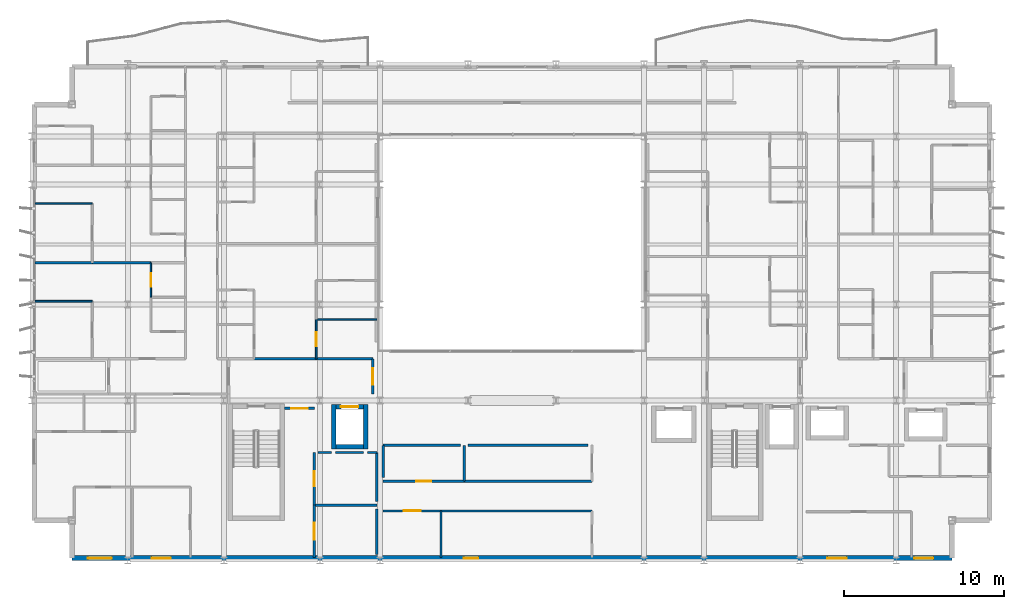
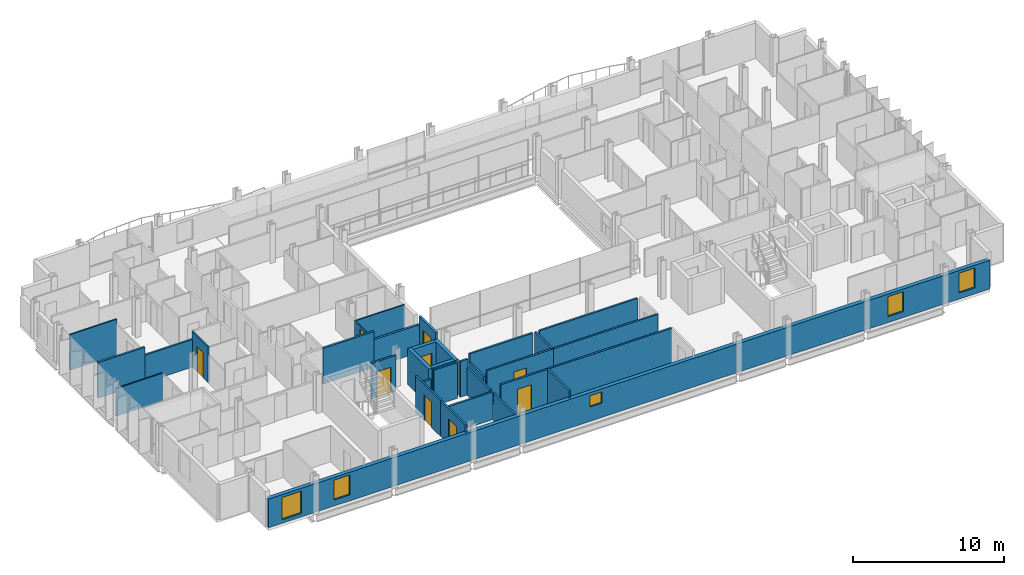
# One storey, part 28 of 39: 33 walls, 9 doors, 5 windows, 14 openings.
"""IFC4 building model written with IfcOpenShell, lengths in metres."""

from ifc_helpers import new_model, si_unit, direction, frame, frame_2d, origin, place, context, subcontext, project, spatial, rectangle, extrude, material, layer, layer_set, type_object, element, fill, save


model = new_model("IFC4")

# Units and contexts
model_context = context("Model", 3, precision=1e-05, world=origin(), true_north=direction((0.0, 1.0)))
body_context = subcontext(model_context, "Body", "Model", "MODEL_VIEW")
ifc_project = project(units=[si_unit("LENGTHUNIT", "METRE"), si_unit("AREAUNIT", "SQUARE_METRE"), si_unit("VOLUMEUNIT", "CUBIC_METRE"), si_unit("PLANEANGLEUNIT", "RADIAN"), si_unit("MASSUNIT", "GRAM", prefix="KILO")], contexts=[model_context])

# Site, building, storey
site_placement = place(None, origin())
site = spatial("IfcSite", under=ifc_project, at=site_placement, CompositionType="ELEMENT")
building_placement = place(site_placement, origin())
building = spatial("IfcBuilding", under=site, at=building_placement, Name="Brevholm Reach", CompositionType="ELEMENT")
storey_placement = place(building_placement, frame((0.0, 0.0, 90.0)))
storey = spatial("IfcBuildingStorey", under=building, at=storey_placement, Name="L26", CompositionType="ELEMENT", Elevation=90.0)

# Walls
ifc_material_1 = material(Name="Concrete C50/60", Category="concrete")
ifc_layer_1 = layer(ifc_material_1, 0.280029296875)
ifc_layer_set_1 = layer_set([ifc_layer_1], Name="Concrete C50/60")
wall_type_1 = type_object("IfcWallType", Name="WAL-COR-280", PredefinedType="SHEAR", material=ifc_layer_set_1)
for number, where, z_axis, x_axis, name in (
    (1, (18.85009765625, 6.9599609375, 0.0), (0.0, 0.0, 1.0), (0.0, 1.0, 0.0), "L26 Lift FFL-1 Shaft Wall W"),
    (2, (20.85009765625, 6.9599609375, 0.0), (0.0, 0.0, 1.0), (0.0, 1.0, 0.0), "L26 Lift FFL-1 Shaft Wall E"),
):
    element("IfcWall", number, at=place(storey_placement, frame(where, z_axis=z_axis, x_axis=x_axis)), inside=storey, type_object=wall_type_1, Name=name, PredefinedType="SHEAR", context=body_context, shape_type="SweptSolid", body=[
        extrude(rectangle(XDim=2.780029296875, YDim=0.280029296875, at=frame_2d((1.39013671875, 0.0))), origin(), (0.0, 0.0, 1.0), 2.8701171875),
    ])
wall_1_placement = place(storey_placement, frame((18.989990234375, 7.10009765625, 0.0), z_axis=(0.0, 0.0, 1.0), x_axis=(1.0, 0.0, 0.0)))
element("IfcWall", 3, at=wall_1_placement, inside=storey, type_object=wall_type_1, Name="L26 Lift FFL-1 Shaft Wall S", PredefinedType="SHEAR", context=body_context, shape_type="SweptSolid", body=[
    extrude(rectangle(XDim=1.719970703125, YDim=0.280029296875, at=frame_2d((0.85986328125, 0.0))), origin(), (0.0, 0.0, 1.0), 2.8701171875),
])

# Wall, opening, door
wall_2_placement = place(storey_placement, frame((18.989990234375, 9.60009765625, 0.0), z_axis=(0.0, 0.0, 1.0), x_axis=(1.0, 0.0, 0.0)))
wall_2 = element("IfcWall", 4, at=wall_2_placement, inside=storey, type_object=wall_type_1, Name="L26 Lift FFL-1 Shaft Wall N", PredefinedType="SHEAR", context=body_context, shape_type="SweptSolid", body=[
    extrude(rectangle(XDim=1.719970703125, YDim=0.280029296875, at=frame_2d((0.85986328125, 0.0))), origin(), (0.0, 0.0, 1.0), 2.8701171875),
])
opening_1_placement = place(wall_2_placement, frame((0.31005859375, 0.0, 0.0)))
opening_1 = element("IfcOpeningElement", 5, at=opening_1_placement, cuts=wall_2, Name="Opening LD-FFL-1", PredefinedType="OPENING", context=body_context, shape_type="SweptSolid", body=[
    extrude(rectangle(XDim=1.10009765625, YDim=2.06005859375, at=frame_2d((0.550048828125, 1.030029296875))), frame((0.0, 0.14990234375, 0.0), z_axis=(0.0, -1.0, 0.0), x_axis=(1.0, 0.0, 0.0)), (0.0, 0.0, 1.0), 0.300048828125),
])
ifc_material_2 = material(Name="Brushed Stainless Steel Fire-Rated Sliding Lift Door", Category="steel")
door_type_1 = type_object("IfcDoorType", Name="DOR-LFT-1100", OperationType="NOTDEFINED", PredefinedType="DOOR", material=ifc_material_2)
door_1_placement = place(opening_1_placement, origin())
door_1 = element("IfcDoor", 6, at=door_1_placement, inside=storey, type_object=door_type_1, Name="L26 Lift FFL-1 Sliding Landing Door", OperationType="SLIDING_TO_RIGHT", OverallHeight=2.06005859375, OverallWidth=1.10009765625, PredefinedType="DOOR", context=body_context, shape_type="SweptSolid", body=[
    extrude(rectangle(XDim=1.10009765625, YDim=2.06005859375, at=frame_2d((0.550048828125, 1.030029296875))), frame((0.0, 0.02490234375, 0.0), z_axis=(0.0, -1.0, 0.0), x_axis=(1.0, 0.0, 0.0)), (0.0, 0.0, 1.0), 0.050048828125),
])
fill(opening_1, door_1)

# Wall, openings, windows
ifc_material_3 = material(Name="Concrete C40/50", Category="concrete")
ifc_layer_2 = layer(ifc_material_3, 0.300048828125)
ifc_layer_set_2 = layer_set([ifc_layer_2], Name="Concrete C40/50")
wall_type_2 = type_object("IfcWallType", Name="WAL-EXT-300", PredefinedType="STANDARD", material=ifc_layer_set_2)
wall_3_placement = place(storey_placement, frame((2.5, 0.14990234375, 0.0), z_axis=(0.0, 0.0, 1.0), x_axis=(1.0, 0.0, 0.0)))
wall_3 = element("IfcWall", 7, at=wall_3_placement, inside=storey, type_object=wall_type_2, Name="L26 Facade Wall WAL-L26-S", PredefinedType="STANDARD", context=body_context, shape_type="SweptSolid", body=[
    extrude(rectangle(XDim=55.0, YDim=0.300048828125, at=frame_2d((27.5, 0.0))), origin(), (0.0, 0.0, 1.0), 2.305419921875),
])
opening_2_placement = place(wall_3_placement, frame((1.0, 0.0, 0.284912109375)))
opening_2 = element("IfcOpeningElement", 8, at=opening_2_placement, cuts=wall_3, Name="Opening WN-05", PredefinedType="OPENING", context=body_context, shape_type="SweptSolid", body=[
    extrude(rectangle(XDim=1.5, YDim=1.800048828125, at=frame_2d((0.75, 0.89990234375))), frame((0.0, 0.159912109375, 0.0), z_axis=(0.0, -1.0, 0.0), x_axis=(1.0, 0.0, 0.0)), (0.0, 0.0, 1.0), 0.320068359375),
])
opening_3_placement = place(wall_3_placement, frame((24.5, 0.0, 1.14990234375)))
opening_3 = element("IfcOpeningElement", 9, at=opening_3_placement, cuts=wall_3, Name="Opening WN-09", PredefinedType="OPENING", context=body_context, shape_type="SweptSolid", body=[
    extrude(rectangle(XDim=0.89990234375, YDim=0.89990234375, at=frame_2d((0.449951171875, 0.449951171875))), frame((0.0, 0.159912109375, 0.0), z_axis=(0.0, -1.0, 0.0), x_axis=(1.0, 0.0, 0.0)), (0.0, 0.0, 1.0), 0.320068359375),
])
opening_4_placement = place(wall_3_placement, frame((47.199951171875, 0.0, 0.485107421875)))
opening_4 = element("IfcOpeningElement", 10, at=opening_4_placement, cuts=wall_3, Name="Opening WN-08", PredefinedType="OPENING", context=body_context, shape_type="SweptSolid", body=[
    extrude(rectangle(XDim=1.199951171875, YDim=1.60009765625, at=frame_2d((0.60009765625, 0.800048828125))), frame((0.0, 0.159912109375, 0.0), z_axis=(0.0, -1.0, 0.0), x_axis=(1.0, 0.0, 0.0)), (0.0, 0.0, 1.0), 0.320068359375),
])
opening_5_placement = place(wall_3_placement, frame((52.6298828125, 0.0, 0.485107421875)))
opening_5 = element("IfcOpeningElement", 11, at=opening_5_placement, cuts=wall_3, Name="Opening WN-08", PredefinedType="OPENING", context=body_context, shape_type="SweptSolid", body=[
    extrude(rectangle(XDim=1.199951171875, YDim=1.60009765625, at=frame_2d((0.60009765625, 0.800048828125))), frame((0.0, 0.159912109375, 0.0), z_axis=(0.0, -1.0, 0.0), x_axis=(1.0, 0.0, 0.0)), (0.0, 0.0, 1.0), 0.320068359375),
])
opening_6_placement = place(wall_3_placement, frame((4.987548828125, 0.0, 0.485595703125)))
opening_6 = element("IfcOpeningElement", 12, at=opening_6_placement, cuts=wall_3, Name="Opening WN-08", PredefinedType="OPENING", context=body_context, shape_type="SweptSolid", body=[
    extrude(rectangle(XDim=1.199951171875, YDim=1.60009765625, at=frame_2d((0.60009765625, 0.800048828125))), frame((0.0, 0.159912109375, 0.0), z_axis=(0.0, -1.0, 0.0), x_axis=(1.0, 0.0, 0.0)), (0.0, 0.0, 1.0), 0.320068359375),
])
ifc_material_4 = material(Name="Dark Anodised Aluminium and Solar-Control IGU Glass", Category="aluminium")
window_type_1 = type_object("IfcWindowType", Name="WIN-POR-0900", PartitioningType="SINGLE_PANEL", PredefinedType="WINDOW", material=ifc_material_4)
window_1_placement = place(opening_3_placement, origin())
window_1 = element("IfcWindow", 13, at=window_1_placement, inside=storey, type_object=window_type_1, Name="L26 Window WIN-L26-S-POR", OverallHeight=0.89990234375, OverallWidth=0.89990234375, PartitioningType="SINGLE_PANEL", PredefinedType="WINDOW", context=body_context, shape_type="SweptSolid", body=[
    extrude(rectangle(XDim=0.89990234375, YDim=0.89990234375, at=frame_2d((0.449951171875, 0.449951171875))), frame((0.0, 0.030029296875, 0.0), z_axis=(0.0, -1.0, 0.0), x_axis=(1.0, 0.0, 0.0)), (0.0, 0.0, 1.0), 0.06005859375),
])
fill(opening_3, window_1)
ifc_material_5 = material(Name="Dark Anodised Aluminium and Solar-Control IGU Glass", Category="aluminium")
window_type_2 = type_object("IfcWindowType", Name="WIN-RES-1200", PartitioningType="SINGLE_PANEL", PredefinedType="WINDOW", material=ifc_material_5)
window_2_placement = place(opening_4_placement, origin())
window_2 = element("IfcWindow", 14, at=window_2_placement, inside=storey, type_object=window_type_2, Name="L26 Window WIN-L26-S-E1", OverallHeight=1.60009765625, OverallWidth=1.199951171875, PartitioningType="SINGLE_PANEL", PredefinedType="WINDOW", context=body_context, shape_type="SweptSolid", body=[
    extrude(rectangle(XDim=1.199951171875, YDim=1.60009765625, at=frame_2d((0.60009765625, 0.800048828125))), frame((0.0, 0.030029296875, 0.0), z_axis=(0.0, -1.0, 0.0), x_axis=(1.0, 0.0, 0.0)), (0.0, 0.0, 1.0), 0.06005859375),
])
fill(opening_4, window_2)
window_3_placement = place(opening_5_placement, origin())
window_3 = element("IfcWindow", 15, at=window_3_placement, inside=storey, type_object=window_type_2, Name="L26 Window WIN-L26-S-E2", OverallHeight=1.60009765625, OverallWidth=1.199951171875, PartitioningType="SINGLE_PANEL", PredefinedType="WINDOW", context=body_context, shape_type="SweptSolid", body=[
    extrude(rectangle(XDim=1.199951171875, YDim=1.60009765625, at=frame_2d((0.60009765625, 0.800048828125))), frame((0.0, 0.030029296875, 0.0), z_axis=(0.0, -1.0, 0.0), x_axis=(1.0, 0.0, 0.0)), (0.0, 0.0, 1.0), 0.06005859375),
])
fill(opening_5, window_3)
window_4_placement = place(opening_6_placement, origin())
window_4 = element("IfcWindow", 16, at=window_4_placement, inside=storey, type_object=window_type_2, Name="L26 Bedroom Window 031", OverallHeight=1.60009765625, OverallWidth=1.199951171875, PartitioningType="SINGLE_PANEL", PredefinedType="WINDOW", context=body_context, shape_type="SweptSolid", body=[
    extrude(rectangle(XDim=1.199951171875, YDim=1.60009765625, at=frame_2d((0.60009765625, 0.800048828125))), frame((0.0, 0.030029296875, 0.0), z_axis=(0.0, -1.0, 0.0), x_axis=(1.0, 0.0, 0.0)), (0.0, 0.0, 1.0), 0.06005859375),
])
fill(opening_6, window_4)
ifc_material_6 = material(Name="Dark Anodised Aluminium and Solar-Control IGU Glass", Category="aluminium")
window_type_3 = type_object("IfcWindowType", Name="WIN-RES-1500", PartitioningType="SINGLE_PANEL", PredefinedType="WINDOW", material=ifc_material_6)
window_5_placement = place(opening_2_placement, origin())
window_5 = element("IfcWindow", 17, at=window_5_placement, inside=storey, type_object=window_type_3, Name="L26 Window WIN-L26-S-W1", OverallHeight=1.800048828125, OverallWidth=1.5, PartitioningType="SINGLE_PANEL", PredefinedType="WINDOW", context=body_context, shape_type="SweptSolid", body=[
    extrude(rectangle(XDim=1.5, YDim=1.800048828125, at=frame_2d((0.75, 0.89990234375))), frame((0.0, 0.030029296875, 0.0), z_axis=(0.0, -1.0, 0.0), x_axis=(1.0, 0.0, 0.0)), (0.0, 0.0, 1.0), 0.06005859375),
])
fill(opening_2, window_5)

# Wall, opening, door
ifc_material_7 = material(Name="Moisture-Resistant Acoustic Gypsum Stud Partition 100 mm", Category="gypsum")
ifc_layer_3 = layer(ifc_material_7, 0.10009765625)
ifc_layer_set_3 = layer_set([ifc_layer_3], Name="Moisture-Resistant Acoustic Gypsum Stud Partition 100 mm")
wall_type_3 = type_object("IfcWallType", Name="WAL-PRT-100", PredefinedType="PARTITIONING", material=ifc_layer_set_3)
wall_4_placement = place(storey_placement, frame((7.43798828125, 16.449951171875, 0.0), z_axis=(0.0, 0.0, 1.0), x_axis=(0.0, 1.0, 0.0)))
wall_4 = element("IfcWall", 18, at=wall_4_placement, inside=storey, type_object=wall_type_3, Name="L26 Internal Partition 091", PredefinedType="PARTITIONING", context=body_context, shape_type="SweptSolid", body=[
    extrude(rectangle(XDim=2.150146484375, YDim=0.10009765625, at=frame_2d((1.0751953125, 0.0))), origin(), (0.0, 0.0, 1.0), 2.8701171875),
])
opening_7_placement = place(wall_4_placement, frame((0.6650390625, 0.0, 0.0)))
opening_7 = element("IfcOpeningElement", 19, at=opening_7_placement, cuts=wall_4, Name="Opening ID-03", PredefinedType="OPENING", context=body_context, shape_type="SweptSolid", body=[
    extrude(rectangle(XDim=0.820068359375, YDim=2.02001953125, at=frame_2d((0.41015625, 1.010009765625))), frame((0.0, 0.06005859375, 0.0), z_axis=(0.0, -1.0, 0.0), x_axis=(1.0, 0.0, 0.0)), (0.0, 0.0, 1.0), 0.1201171875),
])
ifc_material_8 = material(Name="Moisture-Resistant Painted Timber Internal Bathroom Door", Category="wood")
door_type_2 = type_object("IfcDoorType", Name="DOR-BATH-820", OperationType="NOTDEFINED", PredefinedType="DOOR", material=ifc_material_8)
door_2_placement = place(opening_7_placement, origin())
door_2 = element("IfcDoor", 20, at=door_2_placement, inside=storey, type_object=door_type_2, Name="L26 Internal Door 033", OperationType="SINGLE_SWING_LEFT", OverallHeight=2.02001953125, OverallWidth=0.820068359375, PredefinedType="DOOR", context=body_context, shape_type="SweptSolid", body=[
    extrude(rectangle(XDim=0.820068359375, YDim=2.02001953125, at=frame_2d((0.41015625, 1.010009765625))), frame((0.0, 0.02490234375, 0.0), z_axis=(0.0, -1.0, 0.0), x_axis=(1.0, 0.0, 0.0)), (0.0, 0.0, 1.0), 0.050048828125),
])
fill(opening_7, door_2)

# Walls
wall_5_placement = place(storey_placement, frame((0.199951171875, 16.199951171875, 0.0), z_axis=(0.0, 0.0, 1.0), x_axis=(1.0, 0.0, 0.0)))
element("IfcWall", 21, at=wall_5_placement, inside=storey, type_object=wall_type_3, Name="L26 Internal Partition 096", PredefinedType="PARTITIONING", context=body_context, shape_type="SweptSolid", body=[
    extrude(rectangle(XDim=3.572021484375, YDim=0.10009765625, at=frame_2d((1.7861328125, 0.0))), origin(), (0.0, 0.0, 1.0), 2.224853515625),
])
wall_6_placement = place(storey_placement, frame((0.199951171875, 22.300048828125, 0.0), z_axis=(0.0, 0.0, 1.0), x_axis=(1.0, 0.0, 0.0)))
element("IfcWall", 22, at=wall_6_placement, inside=storey, type_object=wall_type_3, Name="L26 Internal Partition 105", PredefinedType="PARTITIONING", context=body_context, shape_type="SweptSolid", body=[
    extrude(rectangle(XDim=3.572021484375, YDim=0.10009765625, at=frame_2d((1.7861328125, 0.0))), origin(), (0.0, 0.0, 1.0), 2.8701171875),
])
wall_7_placement = place(storey_placement, frame((17.76904296875, 15.050048828125, 0.0), z_axis=(0.0, 0.0, 1.0), x_axis=(1.0, 0.0, 0.0)))
element("IfcWall", 23, at=wall_7_placement, inside=storey, type_object=wall_type_3, Name="L26 Internal Partition 118", PredefinedType="PARTITIONING", context=body_context, shape_type="SweptSolid", body=[
    extrude(rectangle(XDim=3.781005859375, YDim=0.10009765625, at=frame_2d((1.890625, 0.0))), origin(), (0.0, 0.0, 1.0), 2.224853515625),
])

# Wall, opening, door
wall_8_placement = place(storey_placement, frame((17.76904296875, 12.60400390625, 0.0), z_axis=(0.0, 0.0, 1.0), x_axis=(0.0, 1.0, 0.0)))
wall_8 = element("IfcWall", 24, at=wall_8_placement, inside=storey, type_object=wall_type_3, Name="L26 Internal Partition 119", PredefinedType="PARTITIONING", context=body_context, shape_type="SweptSolid", body=[
    extrude(rectangle(XDim=2.446044921875, YDim=0.10009765625, at=frame_2d((1.22314453125, 0.0))), origin(), (0.0, 0.0, 1.0), 2.224853515625),
])
opening_8_placement = place(wall_8_placement, frame((0.782958984375, 0.0, 0.0)))
opening_8 = element("IfcOpeningElement", 25, at=opening_8_placement, cuts=wall_8, Name="Opening ID-01", PredefinedType="OPENING", context=body_context, shape_type="SweptSolid", body=[
    extrude(rectangle(XDim=0.8798828125, YDim=2.0400390625, at=frame_2d((0.43994140625, 1.02001953125))), frame((0.0, 0.06005859375, 0.0), z_axis=(0.0, -1.0, 0.0), x_axis=(1.0, 0.0, 0.0)), (0.0, 0.0, 1.0), 0.1201171875),
])
ifc_material_9 = material(Name="Lacquered Ash Solid-Core Acoustic Internal Door", Category="timber")
door_type_3 = type_object("IfcDoorType", Name="DOR-INT-880", OperationType="NOTDEFINED", PredefinedType="DOOR", material=ifc_material_9)
door_3_placement = place(opening_8_placement, origin())
door_3 = element("IfcDoor", 26, at=door_3_placement, inside=storey, type_object=door_type_3, Name="L26 Internal Door 044", OperationType="SINGLE_SWING_RIGHT", OverallHeight=2.0400390625, OverallWidth=0.8798828125, PredefinedType="DOOR", context=body_context, shape_type="SweptSolid", body=[
    extrude(rectangle(XDim=0.8798828125, YDim=2.0400390625, at=frame_2d((0.43994140625, 1.02001953125))), frame((0.0, 0.02490234375, 0.0), z_axis=(0.0, -1.0, 0.0), x_axis=(1.0, 0.0, 0.0)), (0.0, 0.0, 1.0), 0.050048828125),
])
fill(opening_8, door_3)

ifc_material_10 = material(Name="Twin-Stud Acoustic Fire-Rated Gypsum Partition 140 mm", Category="gypsum")
ifc_layer_4 = layer(ifc_material_10, 0.139892578125)
ifc_layer_set_4 = layer_set([ifc_layer_4], Name="Twin-Stud Acoustic Fire-Rated Gypsum Partition 140 mm")
wall_type_4 = type_object("IfcWallType", Name="WAL-PRT-140", PredefinedType="PARTITIONING", material=ifc_layer_set_4)
wall_9_placement = place(storey_placement, frame((21.949951171875, 3.10009765625, 0.0), z_axis=(0.0, 0.0, 1.0), x_axis=(1.0, 0.0, 0.0)))
wall_9 = element("IfcWall", 27, at=wall_9_placement, inside=storey, type_object=wall_type_4, Name="L26 Internal Partition 003", PredefinedType="PARTITIONING", context=body_context, shape_type="SweptSolid", body=[
    extrude(rectangle(XDim=3.621337890625, YDim=0.139892578125, at=frame_2d((1.810546875, 0.0))), origin(), (0.0, 0.0, 1.0), 2.8701171875),
])
opening_9_placement = place(wall_9_placement, frame((1.28564453125, 0.0, 0.0)))
opening_9 = element("IfcOpeningElement", 28, at=opening_9_placement, cuts=wall_9, Name="Opening FD-01", PredefinedType="OPENING", context=body_context, shape_type="SweptSolid", body=[
    extrude(rectangle(XDim=1.050048828125, YDim=2.06005859375, at=frame_2d((0.52490234375, 1.030029296875))), frame((0.0, 0.079833984375, 0.0), z_axis=(0.0, -1.0, 0.0), x_axis=(1.0, 0.0, 0.0)), (0.0, 0.0, 1.0), 0.159912109375),
])
ifc_material_11 = material(Name="Hardwood-Lipped Steel-Core Fire and Smoke Door", Category="steel")
door_type_4 = type_object("IfcDoorType", Name="DOR-INT-FD60S", OperationType="NOTDEFINED", PredefinedType="DOOR", material=ifc_material_11)
door_4_placement = place(opening_9_placement, origin())
door_4 = element("IfcDoor", 29, at=door_4_placement, inside=storey, type_object=door_type_4, Name="L26 Internal Door 003", OperationType="SINGLE_SWING_LEFT", OverallHeight=2.06005859375, OverallWidth=1.050048828125, PredefinedType="DOOR", context=body_context, shape_type="SweptSolid", body=[
    extrude(rectangle(XDim=1.050048828125, YDim=2.06005859375, at=frame_2d((0.52490234375, 1.030029296875))), frame((0.0, 0.02490234375, 0.0), z_axis=(0.0, -1.0, 0.0), x_axis=(1.0, 0.0, 0.0)), (0.0, 0.0, 1.0), 0.050048828125),
])
fill(opening_9, door_4)

# Wall
wall_10_placement = place(storey_placement, frame((25.552734375, 3.10009765625, 0.0), z_axis=(0.0, 0.0, 1.0), x_axis=(1.0, 0.0, 0.0)))
element("IfcWall", 30, at=wall_10_placement, inside=storey, type_object=wall_type_4, Name="L26 Internal Partition 004", PredefinedType="PARTITIONING", context=body_context, shape_type="SweptSolid", body=[
    extrude(rectangle(XDim=9.443359375, YDim=0.139892578125, at=frame_2d((4.7216796875, 0.0))), origin(), (0.0, 0.0, 1.0), 2.8701171875),
])

# Wall, opening, door
wall_11_placement = place(storey_placement, frame((21.949951171875, 4.949951171875, 0.0), z_axis=(0.0, 0.0, 1.0), x_axis=(1.0, 0.0, 0.0)))
wall_11 = element("IfcWall", 31, at=wall_11_placement, inside=storey, type_object=wall_type_4, Name="L26 Internal Partition 005", PredefinedType="PARTITIONING", context=body_context, shape_type="SweptSolid", body=[
    extrude(rectangle(XDim=5.0712890625, YDim=0.139892578125, at=frame_2d((2.53564453125, 0.0))), origin(), (0.0, 0.0, 1.0), 2.8701171875),
])
opening_10_placement = place(wall_11_placement, frame((2.060791015625, 0.0, 0.0)))
opening_10 = element("IfcOpeningElement", 32, at=opening_10_placement, cuts=wall_11, Name="Opening ID-30", PredefinedType="OPENING", context=body_context, shape_type="SweptSolid", body=[
    extrude(rectangle(XDim=0.949951171875, YDim=2.050048828125, at=frame_2d((0.47509765625, 1.02490234375))), frame((0.0, 0.079833984375, 0.0), z_axis=(0.0, -1.0, 0.0), x_axis=(1.0, 0.0, 0.0)), (0.0, 0.0, 1.0), 0.159912109375),
])
ifc_material_12 = material(Name="European Oak Veneered Solid-Core Fire Entrance Door", Category="timber")
door_type_5 = type_object("IfcDoorType", Name="DOR-FLT-FD30S", OperationType="NOTDEFINED", PredefinedType="DOOR", material=ifc_material_12)
door_5_placement = place(opening_10_placement, origin())
door_5 = element("IfcDoor", 33, at=door_5_placement, inside=storey, type_object=door_type_5, Name="L26 Internal Door 004", OperationType="SINGLE_SWING_RIGHT", OverallHeight=2.050048828125, OverallWidth=0.949951171875, PredefinedType="DOOR", context=body_context, shape_type="SweptSolid", body=[
    extrude(rectangle(XDim=0.949951171875, YDim=2.050048828125, at=frame_2d((0.47509765625, 1.02490234375))), frame((0.0, 0.02490234375, 0.0), z_axis=(0.0, -1.0, 0.0), x_axis=(1.0, 0.0, 0.0)), (0.0, 0.0, 1.0), 0.050048828125),
])
fill(opening_10, door_5)

# Walls
wall_12_placement = place(storey_placement, frame((27.002685546875, 4.949951171875, 0.0), z_axis=(0.0, 0.0, 1.0), x_axis=(1.0, 0.0, 0.0)))
element("IfcWall", 34, at=wall_12_placement, inside=storey, type_object=wall_type_4, Name="L26 Internal Partition 006", PredefinedType="PARTITIONING", context=body_context, shape_type="SweptSolid", body=[
    extrude(rectangle(XDim=7.993408203125, YDim=0.139892578125, at=frame_2d((3.99658203125, 0.0))), origin(), (0.0, 0.0, 1.0), 2.8701171875),
])
wall_13_placement = place(storey_placement, frame((25.56005859375, 0.179931640625, 0.0), z_axis=(0.0, 0.0, 1.0), x_axis=(0.0, 1.0, 0.0)))
element("IfcWall", 35, at=wall_13_placement, inside=storey, type_object=wall_type_4, Name="L26 Internal Partition 007", PredefinedType="PARTITIONING", context=body_context, shape_type="SweptSolid", body=[
    extrude(rectangle(XDim=2.916015625, YDim=0.139892578125, at=frame_2d((1.4580078125, 0.0))), origin(), (0.0, 0.0, 1.0), 2.8701171875),
])
wall_14_placement = place(storey_placement, frame((27.010009765625, 4.9541015625, 0.0), z_axis=(0.0, 0.0, 1.0), x_axis=(0.0, 1.0, 0.0)))
element("IfcWall", 36, at=wall_14_placement, inside=storey, type_object=wall_type_4, Name="L26 Internal Partition 008", PredefinedType="PARTITIONING", context=body_context, shape_type="SweptSolid", body=[
    extrude(rectangle(XDim=2.245849609375, YDim=0.139892578125, at=frame_2d((1.123046875, 0.0))), origin(), (0.0, 0.0, 1.0), 2.8701171875),
])

# Wall, opening, door
wall_15_placement = place(storey_placement, frame((17.64990234375, 0.179931640625, 0.0), z_axis=(0.0, 0.0, 1.0), x_axis=(0.0, 1.0, 0.0)))
wall_15 = element("IfcWall", 37, at=wall_15_placement, inside=storey, type_object=wall_type_4, Name="L26 Internal Partition 009", PredefinedType="PARTITIONING", context=body_context, shape_type="SweptSolid", body=[
    extrude(rectangle(XDim=3.28125, YDim=0.139892578125, at=frame_2d((1.640625, 0.0))), origin(), (0.0, 0.0, 1.0), 2.8701171875),
])
opening_11_placement = place(wall_15_placement, frame((1.11572265625, 0.0, 0.0)))
opening_11 = element("IfcOpeningElement", 38, at=opening_11_placement, cuts=wall_15, Name="Opening FD-01", PredefinedType="OPENING", context=body_context, shape_type="SweptSolid", body=[
    extrude(rectangle(XDim=1.050048828125, YDim=2.06005859375, at=frame_2d((0.52490234375, 1.030029296875))), frame((0.0, 0.079833984375, 0.0), z_axis=(0.0, -1.0, 0.0), x_axis=(1.0, 0.0, 0.0)), (0.0, 0.0, 1.0), 0.159912109375),
])
door_6_placement = place(opening_11_placement, origin())
door_6 = element("IfcDoor", 39, at=door_6_placement, inside=storey, type_object=door_type_4, Name="L26 Internal Door 005", OperationType="SINGLE_SWING_LEFT", OverallHeight=2.06005859375, OverallWidth=1.050048828125, PredefinedType="DOOR", context=body_context, shape_type="SweptSolid", body=[
    extrude(rectangle(XDim=1.050048828125, YDim=2.06005859375, at=frame_2d((0.52490234375, 1.030029296875))), frame((0.0, 0.02490234375, 0.0), z_axis=(0.0, -1.0, 0.0), x_axis=(1.0, 0.0, 0.0)), (0.0, 0.0, 1.0), 0.050048828125),
])
fill(opening_11, door_6)

wall_16_placement = place(storey_placement, frame((17.64990234375, 3.442626953125, 0.0), z_axis=(0.0, 0.0, 1.0), x_axis=(0.0, 1.0, 0.0)))
wall_16 = element("IfcWall", 40, at=wall_16_placement, inside=storey, type_object=wall_type_4, Name="L26 Internal Partition 010", PredefinedType="PARTITIONING", context=body_context, shape_type="SweptSolid", body=[
    extrude(rectangle(XDim=3.318603515625, YDim=0.139892578125, at=frame_2d((1.6591796875, 0.0))), origin(), (0.0, 0.0, 1.0), 2.8701171875),
])
opening_12_placement = place(wall_16_placement, frame((1.184326171875, 0.0, 0.0)))
opening_12 = element("IfcOpeningElement", 41, at=opening_12_placement, cuts=wall_16, Name="Opening ID-30", PredefinedType="OPENING", context=body_context, shape_type="SweptSolid", body=[
    extrude(rectangle(XDim=0.949951171875, YDim=2.050048828125, at=frame_2d((0.47509765625, 1.02490234375))), frame((0.0, 0.079833984375, 0.0), z_axis=(0.0, -1.0, 0.0), x_axis=(1.0, 0.0, 0.0)), (0.0, 0.0, 1.0), 0.159912109375),
])
door_7_placement = place(opening_12_placement, origin())
door_7 = element("IfcDoor", 42, at=door_7_placement, inside=storey, type_object=door_type_5, Name="L26 Internal Door 006", OperationType="SINGLE_SWING_RIGHT", OverallHeight=2.050048828125, OverallWidth=0.949951171875, PredefinedType="DOOR", context=body_context, shape_type="SweptSolid", body=[
    extrude(rectangle(XDim=0.949951171875, YDim=2.050048828125, at=frame_2d((0.47509765625, 1.02490234375))), frame((0.0, 0.02490234375, 0.0), z_axis=(0.0, -1.0, 0.0), x_axis=(1.0, 0.0, 0.0)), (0.0, 0.0, 1.0), 0.050048828125),
])
fill(opening_12, door_7)

# Walls
wall_17_placement = place(storey_placement, frame((17.654052734375, 3.449951171875, 0.0), z_axis=(0.0, 0.0, 1.0), x_axis=(1.0, 0.0, 0.0)))
element("IfcWall", 43, at=wall_17_placement, inside=storey, type_object=wall_type_4, Name="L26 Internal Partition 012", PredefinedType="PARTITIONING", context=body_context, shape_type="SweptSolid", body=[
    extrude(rectangle(XDim=3.89599609375, YDim=0.139892578125, at=frame_2d((1.947998046875, 0.0))), origin(), (0.0, 0.0, 1.0), 2.224853515625),
])
wall_18_placement = place(storey_placement, frame((0.199951171875, 18.60009765625, 0.0), z_axis=(0.0, 0.0, 1.0), x_axis=(1.0, 0.0, 0.0)))
element("IfcWall", 44, at=wall_18_placement, inside=storey, type_object=wall_type_4, Name="L26 Internal Partition 097", PredefinedType="PARTITIONING", context=body_context, shape_type="SweptSolid", body=[
    extrude(rectangle(XDim=3.583251953125, YDim=0.139892578125, at=frame_2d((1.79150390625, 0.0))), origin(), (0.0, 0.0, 1.0), 2.8701171875),
])
wall_19_placement = place(storey_placement, frame((3.7646484375, 18.60009765625, 0.0), z_axis=(0.0, 0.0, 1.0), x_axis=(1.0, 0.0, 0.0)))
element("IfcWall", 45, at=wall_19_placement, inside=storey, type_object=wall_type_4, Name="L26 Internal Partition 098", PredefinedType="PARTITIONING", context=body_context, shape_type="SweptSolid", body=[
    extrude(rectangle(XDim=3.66943359375, YDim=0.139892578125, at=frame_2d((1.834716796875, 0.0))), origin(), (0.0, 0.0, 1.0), 2.224853515625),
])
wall_20_placement = place(storey_placement, frame((21.949951171875, 7.199951171875, 0.0), z_axis=(0.0, 0.0, 1.0), x_axis=(1.0, 0.0, 0.0)))
element("IfcWall", 46, at=wall_20_placement, inside=storey, type_object=wall_type_4, Name="L26 Internal Partition 164", PredefinedType="PARTITIONING", context=body_context, shape_type="SweptSolid", body=[
    extrude(rectangle(XDim=4.820068359375, YDim=0.139892578125, at=frame_2d((2.41015625, 0.0))), origin(), (0.0, 0.0, 1.0), 2.8701171875),
])
wall_21_placement = place(storey_placement, frame((21.949951171875, 5.18994140625, 0.0), z_axis=(0.0, 0.0, 1.0), x_axis=(0.0, 1.0, 0.0)))
element("IfcWall", 47, at=wall_21_placement, inside=storey, type_object=wall_type_4, Name="L26 Internal Partition 165", PredefinedType="PARTITIONING", context=body_context, shape_type="SweptSolid", body=[
    extrude(rectangle(XDim=2.010009765625, YDim=0.139892578125, at=frame_2d((1.0048828125, 0.0))), origin(), (0.0, 0.0, 1.0), 2.224853515625),
])
wall_22_placement = place(storey_placement, frame((27.25, 7.199951171875, 0.0), z_axis=(0.0, 0.0, 1.0), x_axis=(1.0, 0.0, 0.0)))
element("IfcWall", 48, at=wall_22_placement, inside=storey, type_object=wall_type_4, Name="L26 Internal Partition 166", PredefinedType="PARTITIONING", context=body_context, shape_type="SweptSolid", body=[
    extrude(rectangle(XDim=7.510009765625, YDim=0.139892578125, at=frame_2d((3.7548828125, 0.0))), origin(), (0.0, 0.0, 1.0), 2.8701171875),
])
wall_23_placement = place(storey_placement, frame((21.550048828125, 0.389892578125, 0.0), z_axis=(0.0, 0.0, 1.0), x_axis=(0.0, 1.0, 0.0)))
element("IfcWall", 49, at=wall_23_placement, inside=storey, type_object=wall_type_4, Name="L26 Internal Partition 167", PredefinedType="PARTITIONING", context=body_context, shape_type="SweptSolid", body=[
    extrude(rectangle(XDim=2.820068359375, YDim=0.139892578125, at=frame_2d((1.41015625, 0.0))), origin(), (0.0, 0.0, 1.0), 2.224853515625),
])
wall_24_placement = place(storey_placement, frame((21.550048828125, 3.68994140625, 0.0), z_axis=(0.0, 0.0, 1.0), x_axis=(0.0, 1.0, 0.0)))
element("IfcWall", 50, at=wall_24_placement, inside=storey, type_object=wall_type_4, Name="L26 Internal Partition 168", PredefinedType="PARTITIONING", context=body_context, shape_type="SweptSolid", body=[
    extrude(rectangle(XDim=3.06005859375, YDim=0.139892578125, at=frame_2d((1.530029296875, 0.0))), origin(), (0.0, 0.0, 1.0), 2.224853515625),
])
wall_25_placement = place(storey_placement, frame((20.9658203125, 6.75, 0.0), z_axis=(0.0, 0.0, 1.0), x_axis=(1.0, 0.0, 0.0)))
element("IfcWall", 51, at=wall_25_placement, inside=storey, type_object=wall_type_4, Name="L26 Internal Partition 169", PredefinedType="PARTITIONING", context=body_context, shape_type="SweptSolid", body=[
    extrude(rectangle(XDim=0.584228515625, YDim=0.139892578125, at=frame_2d((0.2919921875, 0.0))), origin(), (0.0, 0.0, 1.0), 2.8701171875),
])
wall_26_placement = place(storey_placement, frame((18.9658203125, 6.75, 0.0), z_axis=(0.0, 0.0, 1.0), x_axis=(1.0, 0.0, 0.0)))
element("IfcWall", 52, at=wall_26_placement, inside=storey, type_object=wall_type_4, Name="L26 Internal Partition 170", PredefinedType="PARTITIONING", context=body_context, shape_type="SweptSolid", body=[
    extrude(rectangle(XDim=1.768310546875, YDim=0.139892578125, at=frame_2d((0.88427734375, 0.0))), origin(), (0.0, 0.0, 1.0), 2.8701171875),
])
wall_27_placement = place(storey_placement, frame((17.889892578125, 6.75, 0.0), z_axis=(0.0, 0.0, 1.0), x_axis=(1.0, 0.0, 0.0)))
element("IfcWall", 53, at=wall_27_placement, inside=storey, type_object=wall_type_4, Name="L26 Internal Partition 171", PredefinedType="PARTITIONING", context=body_context, shape_type="SweptSolid", body=[
    extrude(rectangle(XDim=0.84423828125, YDim=0.139892578125, at=frame_2d((0.422119140625, 0.0))), origin(), (0.0, 0.0, 1.0), 2.224853515625),
])

# Wall, opening, door
ifc_material_13 = material(Name="Twin-Frame Fire-Rated Gypsum Board and Mineral Wool 160 mm", Category="gypsum")
ifc_layer_5 = layer(ifc_material_13, 0.159912109375)
ifc_layer_set_5 = layer_set([ifc_layer_5], Name="Twin-Frame Fire-Rated Gypsum Board and Mineral Wool 160 mm")
wall_type_5 = type_object("IfcWallType", Name="WAL-PRT-160", PredefinedType="PARTITIONING", material=ifc_layer_set_5)
wall_28_placement = place(storey_placement, frame((15.800048828125, 9.5, 0.0), z_axis=(0.0, 0.0, 1.0), x_axis=(1.0, 0.0, 0.0)))
wall_28 = element("IfcWall", 54, at=wall_28_placement, inside=storey, type_object=wall_type_5, Name="L26 Internal Partition 011", PredefinedType="PARTITIONING", context=body_context, shape_type="SweptSolid", body=[
    extrude(rectangle(XDim=1.849853515625, YDim=0.159912109375, at=frame_2d((0.9248046875, 0.0))), origin(), (0.0, 0.0, 1.0), 2.8701171875),
])
opening_13_placement = place(wall_28_placement, frame((0.39990234375, 0.0, 0.0)))
opening_13 = element("IfcOpeningElement", 55, at=opening_13_placement, cuts=wall_28, Name="Opening FD-01", PredefinedType="OPENING", context=body_context, shape_type="SweptSolid", body=[
    extrude(rectangle(XDim=1.050048828125, YDim=2.06005859375, at=frame_2d((0.52490234375, 1.030029296875))), frame((0.0, 0.08984375, 0.0), z_axis=(0.0, -1.0, 0.0), x_axis=(1.0, 0.0, 0.0)), (0.0, 0.0, 1.0), 0.179931640625),
])
door_8_placement = place(opening_13_placement, origin())
door_8 = element("IfcDoor", 56, at=door_8_placement, inside=storey, type_object=door_type_4, Name="L26 Internal Door 007", OperationType="SINGLE_SWING_LEFT", OverallHeight=2.06005859375, OverallWidth=1.050048828125, PredefinedType="DOOR", context=body_context, shape_type="SweptSolid", body=[
    extrude(rectangle(XDim=1.050048828125, YDim=2.06005859375, at=frame_2d((0.52490234375, 1.030029296875))), frame((0.0, 0.02490234375, 0.0), z_axis=(0.0, -1.0, 0.0), x_axis=(1.0, 0.0, 0.0)), (0.0, 0.0, 1.0), 0.050048828125),
])
fill(opening_13, door_8)

wall_29_placement = place(storey_placement, frame((21.300048828125, 10.388671875, 0.0), z_axis=(0.0, 0.0, 1.0), x_axis=(0.0, 1.0, 0.0)))
wall_29 = element("IfcWall", 57, at=wall_29_placement, inside=storey, type_object=wall_type_5, Name="L26 Internal Partition 019", PredefinedType="PARTITIONING", context=body_context, shape_type="SweptSolid", body=[
    extrude(rectangle(XDim=2.21142578125, YDim=0.159912109375, at=frame_2d((1.105712890625, 0.0))), origin(), (0.0, 0.0, 1.0), 2.8701171875),
])
opening_14_placement = place(wall_29_placement, frame((0.58056640625, 0.0, 0.0)))
opening_14 = element("IfcOpeningElement", 58, at=opening_14_placement, cuts=wall_29, Name="Opening FD-01", PredefinedType="OPENING", context=body_context, shape_type="SweptSolid", body=[
    extrude(rectangle(XDim=1.050048828125, YDim=2.06005859375, at=frame_2d((0.52490234375, 1.030029296875))), frame((0.0, 0.08984375, 0.0), z_axis=(0.0, -1.0, 0.0), x_axis=(1.0, 0.0, 0.0)), (0.0, 0.0, 1.0), 0.179931640625),
])
door_9_placement = place(opening_14_placement, origin())
door_9 = element("IfcDoor", 59, at=door_9_placement, inside=storey, type_object=door_type_4, Name="L26 Internal Door 012", OperationType="SINGLE_SWING_RIGHT", OverallHeight=2.06005859375, OverallWidth=1.050048828125, PredefinedType="DOOR", context=body_context, shape_type="SweptSolid", body=[
    extrude(rectangle(XDim=1.050048828125, YDim=2.06005859375, at=frame_2d((0.52490234375, 1.030029296875))), frame((0.0, 0.02490234375, 0.0), z_axis=(0.0, -1.0, 0.0), x_axis=(1.0, 0.0, 0.0)), (0.0, 0.0, 1.0), 0.050048828125),
])
fill(opening_14, door_9)

# Walls
wall_30_placement = place(storey_placement, frame((17.7578125, 12.60009765625, 0.0), z_axis=(0.0, 0.0, 1.0), x_axis=(1.0, 0.0, 0.0)))
element("IfcWall", 60, at=wall_30_placement, inside=storey, type_object=wall_type_5, Name="L26 Internal Partition 022", PredefinedType="PARTITIONING", context=body_context, shape_type="SweptSolid", body=[
    extrude(rectangle(XDim=3.542236328125, YDim=0.159912109375, at=frame_2d((1.77099609375, 0.0))), origin(), (0.0, 0.0, 1.0), 2.224853515625),
])
wall_31_placement = place(storey_placement, frame((13.881591796875, 12.60009765625, 0.0), z_axis=(0.0, 0.0, 1.0), x_axis=(1.0, 0.0, 0.0)))
element("IfcWall", 61, at=wall_31_placement, inside=storey, type_object=wall_type_5, Name="L26 Internal Partition 023", PredefinedType="PARTITIONING", context=body_context, shape_type="SweptSolid", body=[
    extrude(rectangle(XDim=3.894775390625, YDim=0.159912109375, at=frame_2d((1.947265625, 0.0))), origin(), (0.0, 0.0, 1.0), 2.8701171875),
])

save(model, "model.ifc")
